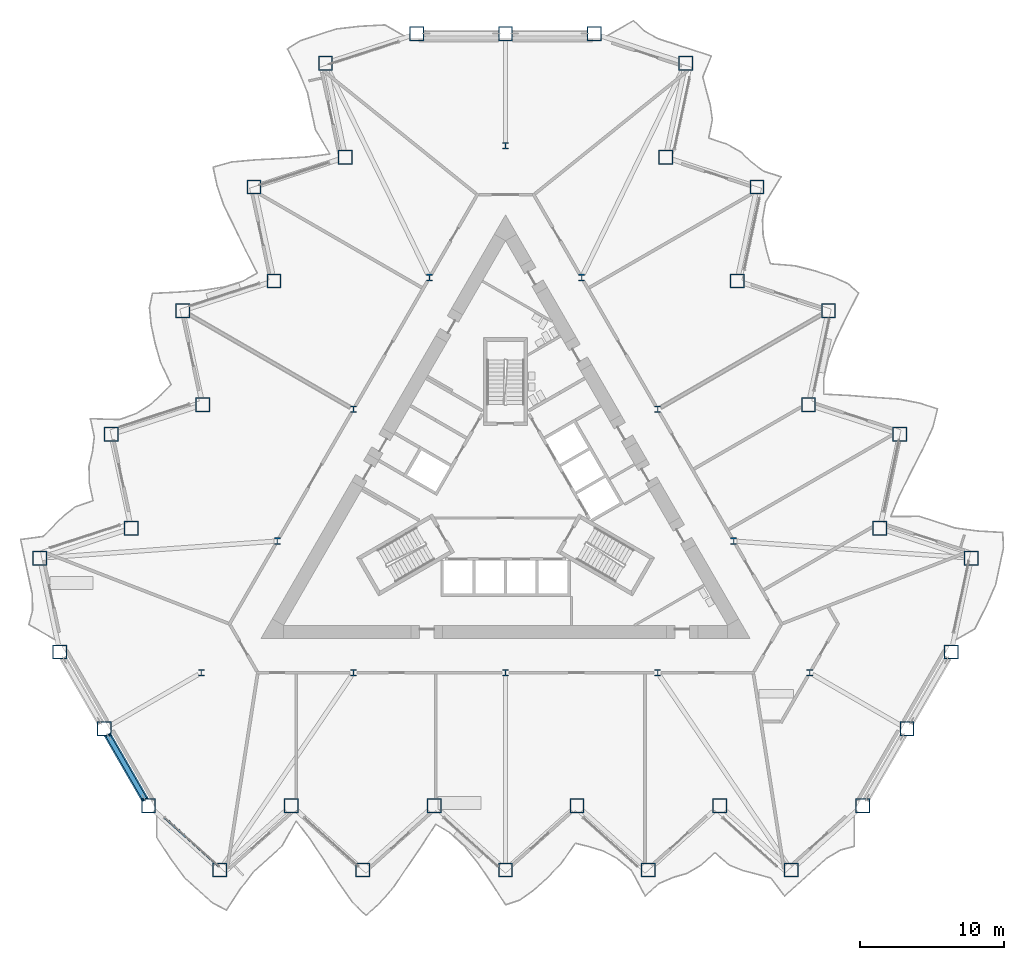
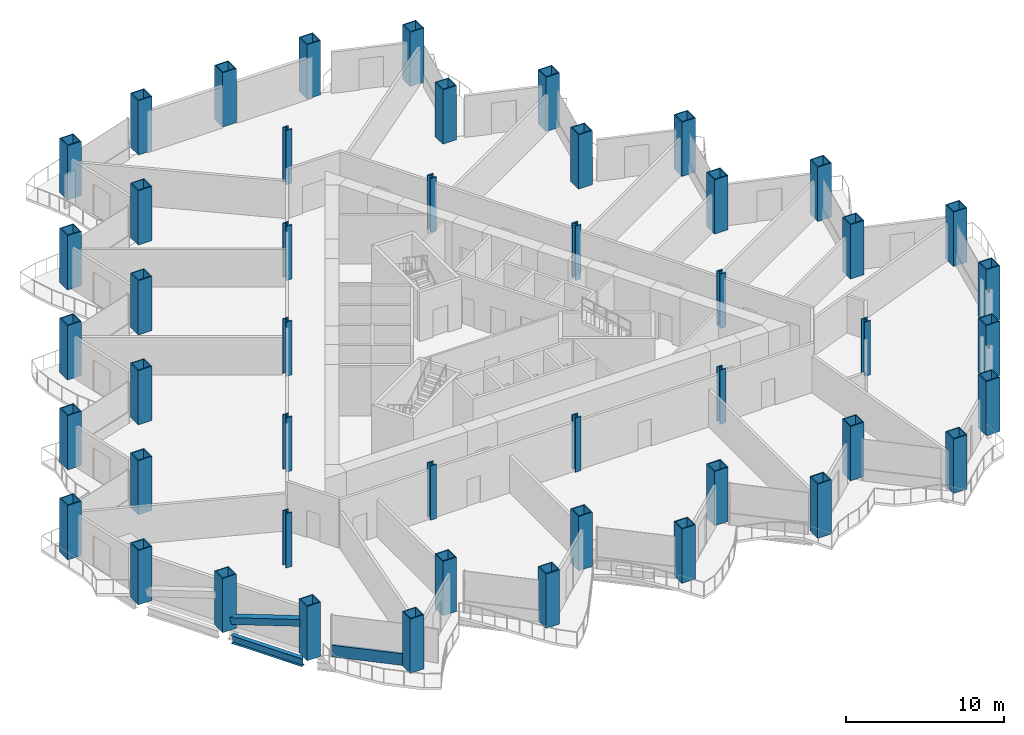
# One storey, part 1 of 21: 48 columns, 2 members, 1 beam, 1 element without a shape of its own.
"""IFC4 building model written with IfcOpenShell, lengths in metres."""

import ifcopenshell
import ifcopenshell.guid

model = None  # the IFC model being written
_history = None  # IfcOwnerHistory: only IFC2X3 demands one
_inside = {}  # id of a spatial element -> (the spatial element, [elements in it])
_under = {}  # id of a project, library or spatial element -> (it, [spatial elements below it])
_declared = {}  # id of a project -> (the project, [libraries it declares])
_typed = {}  # id of a type object -> (the type object, [elements of that type])
_made_of = {}  # id of a material, layer set ... -> (it, [elements and type objects made of it])


def new_model(schema):
    """Start an empty IFC model of exactly this schema.

    Asked for "IFC4X3", IfcOpenShell would pick the latest addendum, in which some entities
    have other attributes; the version numbers below select the first issue.
    IFC2X3 requires an IfcOwnerHistory on every rooted entity: one is made here for all.
    """
    global model, _history
    if schema == "IFC4X3":
        model = ifcopenshell.file(schema_version=(4, 3, 0, 0))
    else:
        model = ifcopenshell.file(schema=schema)
    _inside.clear()
    _under.clear()
    _declared.clear()
    _typed.clear()
    _made_of.clear()
    _history = None
    if model.schema == "IFC2X3":
        org = make("IfcOrganization", Name="unknown")
        user = make(
            "IfcPersonAndOrganization",
            ThePerson=make("IfcPerson", FamilyName="unknown"),
            TheOrganization=org,
        )
        app = make(
            "IfcApplication",
            ApplicationDeveloper=org,
            Version="unknown",
            ApplicationFullName="unknown",
            ApplicationIdentifier="unknown",
        )
        _history = make(
            "IfcOwnerHistory",
            OwningUser=user,
            OwningApplication=app,
            ChangeAction="ADDED",
            CreationDate=0,
        )
    return model


def make(cls, **values):
    """One entity of the class cls with the attributes given. An attribute that is None is left unset."""
    return model.create_entity(
        cls, **{name: value for name, value in values.items() if value is not None}
    )


def rooted(cls, **values):
    """An entity with a GlobalId (a new one), such as an element, a storey or a relation."""
    return make(cls, GlobalId=ifcopenshell.guid.new(), OwnerHistory=_history, **values)


def si_unit(unit_type, name, prefix=None):
    """IfcSIUnit, for example si_unit("LENGTHUNIT", "METRE", prefix="MILLI")."""
    return make("IfcSIUnit", UnitType=unit_type, Prefix=prefix, Name=name)


def assignment(units):
    """IfcUnitAssignment: the units of a project."""
    return None if units is None else make("IfcUnitAssignment", Units=units)


def point(xyz):
    """IfcCartesianPoint."""
    return None if xyz is None else make("IfcCartesianPoint", Coordinates=xyz)


def direction(xyz):
    """IfcDirection."""
    return None if xyz is None else make("IfcDirection", DirectionRatios=xyz)


def frame(location, z_axis=None, x_axis=None):
    """IfcAxis2Placement3D, a coordinate frame: its origin and axes. An axis left out is left unset."""
    return make(
        "IfcAxis2Placement3D",
        Location=point(location),
        Axis=direction(z_axis),
        RefDirection=direction(x_axis),
    )


def frame_2d(location, x_axis=None):
    """IfcAxis2Placement2D, a coordinate frame in the plane: its origin and x axis."""
    return make(
        "IfcAxis2Placement2D", Location=point(location), RefDirection=direction(x_axis)
    )


def origin():
    """The frame at (0, 0, 0) with its axes left unset."""
    return frame((0.0, 0.0, 0.0))


def origin_2d():
    """The frame at (0, 0) in the plane with its x axis left unset."""
    return frame_2d((0.0, 0.0))


def place(relative_to, where):
    """IfcLocalPlacement: puts the frame where relative to a parent placement (None: the world)."""
    return make(
        "IfcLocalPlacement", PlacementRelTo=relative_to, RelativePlacement=where
    )


def context(
    kind, dimensions, precision=None, world=None, true_north=None, identifier=None
):
    """IfcGeometricRepresentationContext, for example the 3D "Model" context."""
    return make(
        "IfcGeometricRepresentationContext",
        ContextIdentifier=identifier,
        ContextType=kind,
        CoordinateSpaceDimension=dimensions,
        Precision=precision,
        WorldCoordinateSystem=world,
        TrueNorth=true_north,
    )


def subcontext(parent, identifier, kind, view, scale=None):
    """IfcGeometricRepresentationSubContext, for example "Body" below "Model"."""
    return make(
        "IfcGeometricRepresentationSubContext",
        ContextIdentifier=identifier,
        ContextType=kind,
        ParentContext=parent,
        TargetScale=scale,
        TargetView=view,
    )


def project(units=None, contexts=None):
    """IfcProject with its units and contexts."""
    return rooted(
        "IfcProject",
        Name="project",
        RepresentationContexts=contexts,
        UnitsInContext=assignment(units),
    )


def spatial(cls, under=None, at=None, **own):
    """A site, building, storey or space (cls), placed at a placement, below another one or the project."""
    s = rooted(cls, ObjectPlacement=at, **own)
    if under is not None:
        _under.setdefault(under.id(), (under, []))[1].append(s)
    return s


def profile(cls, at=None, kind="AREA", **sizes):
    """A parametric profile (cls). Its sizes go by their IFC names, for example OverallWidth=200.0."""
    return make(cls, ProfileType=kind, Position=at, **sizes)


def rectangle(**sizes):
    """IfcRectangleProfileDef."""
    return profile("IfcRectangleProfileDef", **sizes)


def hollow_rectangle(**sizes):
    """IfcRectangleHollowProfileDef."""
    return profile("IfcRectangleHollowProfileDef", **sizes)


def i_section(**sizes):
    """IfcIShapeProfileDef."""
    return profile("IfcIShapeProfileDef", **sizes)


def extrude(swept, where, along, depth):
    """IfcExtrudedAreaSolid: the profile swept, set in the frame where, extruded along a direction by depth."""
    return make(
        "IfcExtrudedAreaSolid",
        SweptArea=swept,
        Position=where,
        ExtrudedDirection=direction(along),
        Depth=depth,
    )


def shape(context_of_items, identifier, shape_type, items):
    """IfcShapeRepresentation: the items that make up one representation, for example the "Body"."""
    return make(
        "IfcShapeRepresentation",
        ContextOfItems=context_of_items,
        RepresentationIdentifier=identifier,
        RepresentationType=shape_type,
        Items=items,
    )


def material(Name=None, Category=None):
    """IfcMaterial."""
    return make("IfcMaterial", Name=Name, Category=Category)


def layer(
    of_material, thickness, ventilated=None, Name=None, Category=None, Priority=None
):
    """IfcMaterialLayer: one layer of a wall or slab, of a material (None: an air gap)."""
    return make(
        "IfcMaterialLayer",
        Material=of_material,
        LayerThickness=thickness,
        IsVentilated=ventilated,
        Name=Name,
        Category=Category,
        Priority=Priority,
    )


def layer_set(layers, Name=None):
    """IfcMaterialLayerSet."""
    return make("IfcMaterialLayerSet", MaterialLayers=layers, LayerSetName=Name)


def material_profile(
    of_material, cross_section, Name=None, Category=None, Priority=None
):
    """IfcMaterialProfile: a cross section and its material."""
    return make(
        "IfcMaterialProfile",
        Name=Name,
        Material=of_material,
        Profile=cross_section,
        Priority=Priority,
        Category=Category,
    )


def profile_set(profiles, Name=None, composite=None):
    """IfcMaterialProfileSet."""
    return make(
        "IfcMaterialProfileSet",
        Name=Name,
        MaterialProfiles=profiles,
        CompositeProfile=composite,
    )


def made_of(thing, what):
    """Note that an element or type object is made of a material, layer set ...; save() writes the relation."""
    if what is not None:
        _made_of.setdefault(what.id(), (what, []))[1].append(thing)
    return thing


def type_object(cls, material=None, **own):
    """A type object (cls), such as IfcWallType, which elements share."""
    return made_of(rooted(cls, **own), material)


def element(
    cls,
    number,
    at=None,
    inside=None,
    cuts=None,
    type_object=None,
    material=None,
    context=None,
    identifier="Body",
    shape_type=None,
    held_by="IfcProductDefinitionShape",
    body=None,
    shapes=None,
    **own,
):
    """One element of the class cls, such as IfcWall. Its Tag is "e" and its number.

    at: its placement. inside: the storey or other place that contains it. cuts: it is an
    opening in that element (IfcRelVoidsElement). A single representation is given by context,
    identifier, shape_type and body (its items); several are given by shapes. held_by: the class
    of the entity that holds the representations. save() writes the other relations.
    """
    e = rooted(cls, Tag="e%d" % number, ObjectPlacement=at, **own)
    if body is not None:
        shapes = [shape(context, identifier, shape_type, body)]
    if shapes is not None:
        e.Representation = make(held_by, Representations=shapes)
    if inside is not None:
        _inside.setdefault(inside.id(), (inside, []))[1].append(e)
    if cuts is not None:
        rooted(
            "IfcRelVoidsElement", RelatingBuildingElement=cuts, RelatedOpeningElement=e
        )
    if type_object is not None:
        _typed.setdefault(type_object.id(), (type_object, []))[1].append(e)
    return made_of(e, material)


def aggregate(whole, parts):
    """IfcRelAggregates: a whole, such as a stair, and the parts it consists of."""
    return rooted("IfcRelAggregates", RelatingObject=whole, RelatedObjects=parts)


def save(model, path):
    """Write the relations noted so far, then the file.

    IfcRelAggregates (storeys below a building ...), IfcRelContainedInSpatialStructure (elements
    in a storey), IfcRelDefinesByType, IfcRelAssociatesMaterial and IfcRelDeclares: one each for
    every whole, place, type object, material and project.
    """
    for whole, parts in _under.values():
        aggregate(whole, parts)
    for where, things in _inside.values():
        rooted(
            "IfcRelContainedInSpatialStructure",
            RelatedElements=things,
            RelatingStructure=where,
        )
    for kind, things in _typed.values():
        rooted("IfcRelDefinesByType", RelatedObjects=things, RelatingType=kind)
    for what, things in _made_of.values():
        rooted("IfcRelAssociatesMaterial", RelatedObjects=things, RelatingMaterial=what)
    for by, libraries in _declared.values():
        rooted("IfcRelDeclares", RelatingContext=by, RelatedDefinitions=libraries)
    model.write(path)


model = new_model("IFC4")

# Units and contexts
model_context = context("Model", 3, precision=1e-05, world=origin(), true_north=direction((0.0, 1.0)))
body_context = subcontext(model_context, "Body", "Model", "MODEL_VIEW")
ifc_project = project(units=[si_unit("LENGTHUNIT", "METRE"), si_unit("AREAUNIT", "SQUARE_METRE"), si_unit("VOLUMEUNIT", "CUBIC_METRE"), si_unit("PLANEANGLEUNIT", "RADIAN"), si_unit("MASSUNIT", "GRAM", prefix="KILO")], contexts=[model_context])

# Site, building, storey
site_placement = place(None, origin())
site = spatial("IfcSite", under=ifc_project, at=site_placement, CompositionType="ELEMENT")
building_placement = place(site_placement, origin())
building = spatial("IfcBuilding", under=site, at=building_placement, Name="Cormorant Prow Tower", CompositionType="ELEMENT")
storey_placement = place(building_placement, frame((0.0, 0.0, 46.800048828125)))
storey = spatial("IfcBuildingStorey", under=building, at=storey_placement, Name="L09", CompositionType="ELEMENT", Elevation=46.800048828125)

# Columns
ifc_material_1 = material(Name="Structural steel ASTM A572 Gr 50", Category="steel")
ifc_material_profile_1 = material_profile(ifc_material_1, hollow_rectangle(XDim=1.0, YDim=1.0, WallThickness=0.070068359375, at=origin_2d()), Name="Box 1000x1000x70")
ifc_profile_set_1 = profile_set([ifc_material_profile_1], Name="Structural steel ASTM A572 Gr 50")
column_type_1 = type_object("IfcColumnType", Name="Perimeter box column 1000x1000x70", PredefinedType="COLUMN", material=ifc_profile_set_1)
for number, where, z_axis, x_axis, name in (
    (1, (-24.830322265625, -21.4599609375, 0.0), (0.0, 0.0, 1.0), (1.0, 0.0, 0.0), "Perimeter column C2 at S00 L09"),
    (2, (-19.8642578125, -25.931396484375, 0.0), (0.0, 0.0, 1.0), (1.0, 0.0, 0.0), "Perimeter column C2 at S01 L09"),
    (3, (-14.898193359375, -21.4599609375, 0.0), (0.0, 0.0, 1.0), (1.0, 0.0, 0.0), "Perimeter column C2 at S02 L09"),
    (4, (-9.93212890625, -25.931396484375, 0.0), (0.0, 0.0, 1.0), (1.0, 0.0, 0.0), "Perimeter column C2 at S03 L09"),
    (5, (-4.966064453125, -21.4599609375, 0.0), (0.0, 0.0, 1.0), (1.0, 0.0, 0.0), "Perimeter column C2 at S04 L09"),
    (6, (0.0, -25.931396484375, 0.0), (0.0, 0.0, 1.0), (1.0, 0.0, 0.0), "Perimeter column C2 at S05 L09"),
    (7, (4.966064453125, -21.4599609375, 0.0), (0.0, 0.0, 1.0), (1.0, 0.0, 0.0), "Perimeter column C2 at S06 L09"),
    (8, (9.93212890625, -25.931396484375, 0.0), (0.0, 0.0, 1.0), (1.0, 0.0, 0.0), "Perimeter column C2 at S07 L09"),
    (9, (14.898193359375, -21.4599609375, 0.0), (0.0, 0.0, 1.0), (1.0, 0.0, 0.0), "Perimeter column C2 at S08 L09"),
    (10, (19.8642578125, -25.931396484375, 0.0), (0.0, 0.0, 1.0), (1.0, 0.0, 0.0), "Perimeter column C2 at S09 L09"),
    (11, (24.830322265625, -21.4599609375, 0.0), (0.0, 0.0, 1.0), (1.0, 0.0, 0.0), "Perimeter column C2 at ESE00 L09"),
    (12, (27.915283203125, -16.116943359375, 0.0), (0.0, 0.0, 1.0), (1.0, 0.0, 0.0), "Perimeter column C2 at ESE01 L09"),
    (13, (31.0, -10.773681640625, 0.0), (0.0, 0.0, 1.0), (1.0, 0.0, 0.0), "Perimeter column C2 at ENE00 L09"),
    (14, (32.389404296875, -4.2373046875, 0.0), (0.0, 0.0, 1.0), (1.0, 0.0, 0.0), "Perimeter column C2 at ENE01 L09"),
    (15, (26.033935546875, -2.17236328125, 0.0), (0.0, 0.0, 1.0), (1.0, 0.0, 0.0), "Perimeter column C2 at ENE02 L09"),
    (16, (27.42333984375, 4.3642578125, 0.0), (0.0, 0.0, 1.0), (1.0, 0.0, 0.0), "Perimeter column C2 at ENE03 L09"),
    (17, (21.06787109375, 6.42919921875, 0.0), (0.0, 0.0, 1.0), (1.0, 0.0, 0.0), "Perimeter column C2 at ENE04 L09"),
    (18, (22.457275390625, 12.965576171875, 0.0), (0.0, 0.0, 1.0), (1.0, 0.0, 0.0), "Perimeter column C2 at ENE05 L09"),
    (19, (16.101806640625, 15.03076171875, 0.0), (0.0, 0.0, 1.0), (1.0, 0.0, 0.0), "Perimeter column C2 at ENE06 L09"),
    (20, (17.4912109375, 21.567138671875, 0.0), (0.0, 0.0, 1.0), (1.0, 0.0, 0.0), "Perimeter column C2 at ENE07 L09"),
    (21, (11.1357421875, 23.632080078125, 0.0), (0.0, 0.0, 1.0), (1.0, 0.0, 0.0), "Perimeter column C2 at ENE08 L09"),
    (22, (12.525146484375, 30.168701171875, 0.0), (0.0, 0.0, 1.0), (1.0, 0.0, 0.0), "Perimeter column C2 at ENE09 L09"),
    (23, (6.169677734375, 32.233642578125, 0.0), (0.0, 0.0, 1.0), (1.0, 0.0, 0.0), "Perimeter column C2 at N00 L09"),
    (24, (0.0, 32.233642578125, 0.0), (0.0, 0.0, 1.0), (1.0, 0.0, 0.0), "Perimeter column C2 at N01 L09"),
    (25, (-6.169677734375, 32.233642578125, 0.0), (0.0, 0.0, 1.0), (1.0, 0.0, 0.0), "Perimeter column C2 at WNW00 L09"),
    (26, (-12.525146484375, 30.168701171875, 0.0), (0.0, 0.0, 1.0), (1.0, 0.0, 0.0), "Perimeter column C2 at WNW01 L09"),
    (27, (-11.1357421875, 23.632080078125, 0.0), (0.0, 0.0, 1.0), (1.0, 0.0, 0.0), "Perimeter column C2 at WNW02 L09"),
    (28, (-17.4912109375, 21.567138671875, 0.0), (0.0, 0.0, 1.0), (1.0, 0.0, 0.0), "Perimeter column C2 at WNW03 L09"),
    (29, (-16.101806640625, 15.03076171875, 0.0), (0.0, 0.0, 1.0), (1.0, 0.0, 0.0), "Perimeter column C2 at WNW04 L09"),
    (30, (-22.457275390625, 12.965576171875, 0.0), (0.0, 0.0, 1.0), (1.0, 0.0, 0.0), "Perimeter column C2 at WNW05 L09"),
    (31, (-21.06787109375, 6.42919921875, 0.0), (0.0, 0.0, 1.0), (1.0, 0.0, 0.0), "Perimeter column C2 at WNW06 L09"),
    (32, (-27.42333984375, 4.3642578125, 0.0), (0.0, 0.0, 1.0), (1.0, 0.0, 0.0), "Perimeter column C2 at WNW07 L09"),
    (33, (-26.033935546875, -2.17236328125, 0.0), (0.0, 0.0, 1.0), (1.0, 0.0, 0.0), "Perimeter column C2 at WNW08 L09"),
    (34, (-32.389404296875, -4.2373046875, 0.0), (0.0, 0.0, 1.0), (1.0, 0.0, 0.0), "Perimeter column C2 at WNW09 L09"),
    (35, (-31.0, -10.773681640625, 0.0), (0.0, 0.0, 1.0), (1.0, 0.0, 0.0), "Perimeter column C2 at WSW00 L09"),
    (36, (-27.915283203125, -16.116943359375, 0.0), (0.0, 0.0, 1.0), (1.0, 0.0, 0.0), "Perimeter column C2 at WSW01 L09"),
):
    element("IfcColumn", number, at=place(storey_placement, frame(where, z_axis=z_axis, x_axis=x_axis)), inside=storey, type_object=column_type_1, Name=name, PredefinedType="COLUMN", context=body_context, shape_type="SweptSolid", body=[
        extrude(hollow_rectangle(XDim=1.0, YDim=1.0, WallThickness=0.070068359375, at=origin_2d()), origin(), (0.0, 0.0, 1.0), 4.199951171875),
    ])
ifc_material_2 = material(Name="Structural steel ASTM A992 Gr 50", Category="steel")
ifc_material_profile_2 = material_profile(ifc_material_2, i_section(OverallWidth=0.42138671875, OverallDepth=0.464599609375, WebThickness=0.044921875, FlangeThickness=0.072265625, at=origin_2d()), Name="W14x398")
ifc_profile_set_2 = profile_set([ifc_material_profile_2], Name="Structural steel ASTM A992 Gr 50")
column_type_2 = type_object("IfcColumnType", Name="Ring column W14x398", PredefinedType="COLUMN", material=ifc_profile_set_2)
for number, where, z_axis, x_axis, name in (
    (37, (0.0, 24.429931640625, 0.0), (0.0, 0.0, 1.0), (1.0, 0.0, 0.0), "Ring column 1 L09"),
    (38, (-5.289306640625, 15.268798828125, 0.0), (0.0, 0.0, 1.0), (1.0, 0.0, 0.0), "Ring column 2 L09"),
    (39, (-10.578369140625, 6.107421875, 0.0), (0.0, 0.0, 1.0), (1.0, 0.0, 0.0), "Ring column 3 L09"),
    (40, (-15.86767578125, -3.0537109375, 0.0), (0.0, 0.0, 1.0), (1.0, 0.0, 0.0), "Ring column 4 L09"),
    (41, (-21.156982421875, -12.21484375, 0.0), (0.0, 0.0, 1.0), (1.0, 0.0, 0.0), "Ring column 5 L09"),
    (42, (-10.578369140625, -12.21484375, 0.0), (0.0, 0.0, 1.0), (1.0, 0.0, 0.0), "Ring column 6 L09"),
    (43, (0.0, -12.21484375, 0.0), (0.0, 0.0, 1.0), (1.0, 0.0, 0.0), "Ring column 7 L09"),
    (44, (10.578369140625, -12.21484375, 0.0), (0.0, 0.0, 1.0), (1.0, 0.0, 0.0), "Ring column 8 L09"),
    (45, (21.156982421875, -12.21484375, 0.0), (0.0, 0.0, 1.0), (1.0, 0.0, 0.0), "Ring column 9 L09"),
    (46, (15.86767578125, -3.0537109375, 0.0), (0.0, 0.0, 1.0), (1.0, 0.0, 0.0), "Ring column 10 L09"),
    (47, (10.578369140625, 6.107421875, 0.0), (0.0, 0.0, 1.0), (1.0, 0.0, 0.0), "Ring column 11 L09"),
    (48, (5.289306640625, 15.268798828125, 0.0), (0.0, 0.0, 1.0), (1.0, 0.0, 0.0), "Ring column 12 L09"),
):
    element("IfcColumn", number, at=place(storey_placement, frame(where, z_axis=z_axis, x_axis=x_axis)), inside=storey, type_object=column_type_2, Name=name, PredefinedType="COLUMN", context=body_context, shape_type="SweptSolid", body=[
        extrude(i_section(OverallWidth=0.42138671875, OverallDepth=0.464599609375, WebThickness=0.044921875, FlangeThickness=0.072265625, at=origin_2d()), origin(), (0.0, 0.0, 1.0), 4.199951171875),
    ])

# Member
ifc_material_3 = material(Name="Structural steel ASTM A500 Gr C", Category="steel")
ifc_material_profile_3 = material_profile(ifc_material_3, hollow_rectangle(XDim=0.508056640625, YDim=0.508056640625, WallThickness=0.014892578125, at=origin_2d()), Name="HSS20x20x5/8")
ifc_profile_set_3 = profile_set([ifc_material_profile_3], Name="Structural steel ASTM A500 Gr C")
member_type_1 = type_object("IfcMemberType", Name="Chamfer brace HSS20x20x5/8", PredefinedType="BRACE", material=ifc_profile_set_3)
member_1_placement = place(storey_placement, frame((-27.65576171875, -16.566162109375, 0.76708984375), z_axis=(0.47589308504, -0.824244468952, 0.306833549359), x_axis=(0.866018434186, 0.500012071504, 0.0)))
element("IfcMember", 49, at=member_1_placement, inside=storey, type_object=member_type_1, Name="Chamfer brace BR1 at WSW01 L09", PredefinedType="BRACE", context=body_context, shape_type="SweptSolid", body=[
    extrude(hollow_rectangle(XDim=0.508056640625, YDim=0.508056640625, WallThickness=0.014892578125, at=origin_2d()), origin(), (0.0, 0.0, 1.0), 5.392333984375),
])

# Curtain wall, member
ifc_material_4 = material(Name="Aluminium 6063-T6", Category="aluminium")
ifc_layer = layer(ifc_material_4, 0.199951171875)
ifc_layer_set = layer_set([ifc_layer], Name="Aluminium 6063-T6")
curtain_wall_type = type_object("IfcCurtainWallType", Name="Office unitised curtain wall 200", PredefinedType="NOTDEFINED", material=ifc_layer_set)
curtain_wall_placement = place(storey_placement, origin())
curtain_wall = element("IfcCurtainWall", 50, at=curtain_wall_placement, inside=storey, type_object=curtain_wall_type, Name="Office curtain wall S00", PredefinedType="NOTDEFINED")
ifc_material_5 = material(Name="Terracotta", Category="masonry")
ifc_material_profile_4 = material_profile(ifc_material_5, rectangle(XDim=0.159912109375, YDim=0.89990234375, at=origin_2d()), Name="Office terracotta spandrel rail 160x900")
ifc_profile_set_4 = profile_set([ifc_material_profile_4], Name="Terracotta")
member_type_2 = type_object("IfcMemberType", Name="Office terracotta spandrel rail 160x900", PredefinedType="USERDEFINED", material=ifc_profile_set_4)
member_2_placement = place(storey_placement, frame((-23.6962890625, -22.2978515625, 0.449951171875), z_axis=(0.743140700473, -0.669135187612, 0.0), x_axis=(0.669135187612, 0.743140700473, 0.0)))
member_2 = element("IfcMember", 51, at=member_2_placement, type_object=member_type_2, Name="Office spandrel rail S00", ObjectType="TRANSOM", PredefinedType="USERDEFINED", context=body_context, shape_type="SweptSolid", body=[
    extrude(rectangle(XDim=0.159912109375, YDim=0.89990234375, at=origin_2d()), origin(), (0.0, 0.0, 1.0), 5.06396484375),
])
aggregate(curtain_wall, [member_2])

# Beam
ifc_material_6 = material(Name="Structural steel ASTM A992 Gr 50", Category="steel")
ifc_material_profile_5 = material_profile(ifc_material_6, i_section(OverallWidth=0.32373046875, OverallDepth=0.611083984375, WebThickness=0.0126953125, FlangeThickness=0.01904296875, at=origin_2d()), Name="W24x104")
ifc_profile_set_5 = profile_set([ifc_material_profile_5], Name="Structural steel ASTM A992 Gr 50")
beam_type = type_object("IfcBeamType", Name="Spandrel beam W24x104", PredefinedType="SPANDREL", material=ifc_profile_set_5)
beam_placement = place(storey_placement, frame((-27.665283203125, -16.5498046875, -0.70556640625), z_axis=(0.500019507279, -0.866014140959, 0.0), x_axis=(0.866014140959, 0.500019507279, 0.0)))
element("IfcBeam", 52, at=beam_placement, inside=storey, type_object=beam_type, Name="Spandrel beam SB1 WSW01-S00 L09", PredefinedType="SPANDREL", context=body_context, shape_type="SweptSolid", body=[
    extrude(i_section(OverallWidth=0.32373046875, OverallDepth=0.611083984375, WebThickness=0.0126953125, FlangeThickness=0.01904296875, at=origin_2d()), origin(), (0.0, 0.0, 1.0), 5.169677734375),
])

save(model, "model.ifc")
